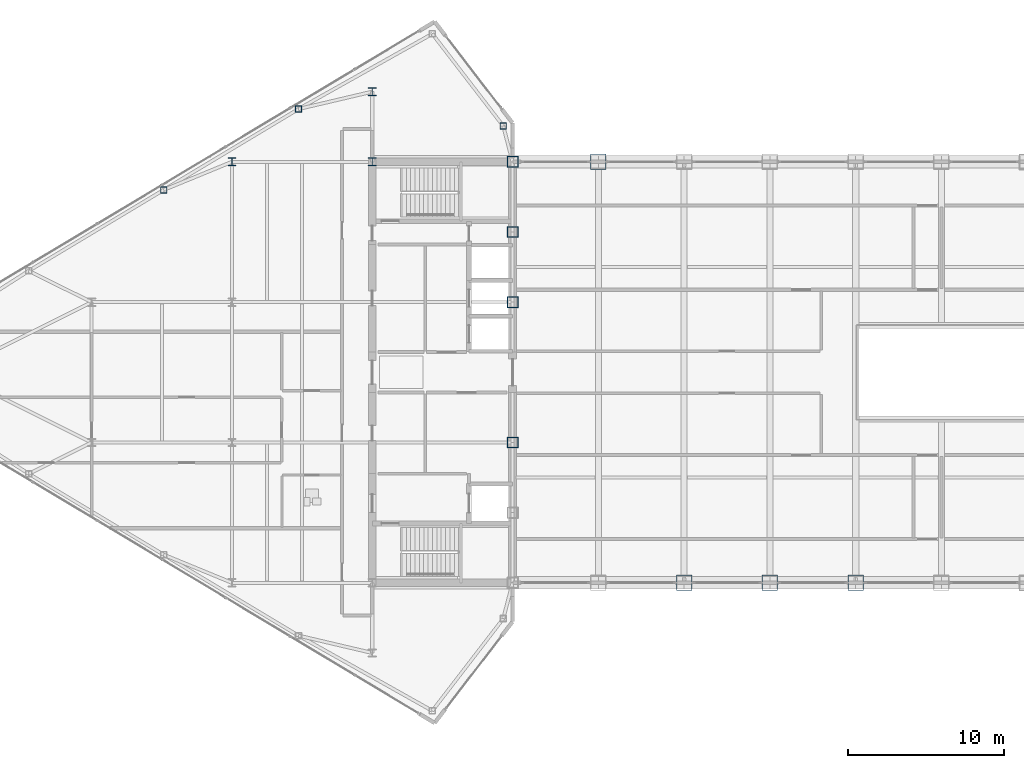
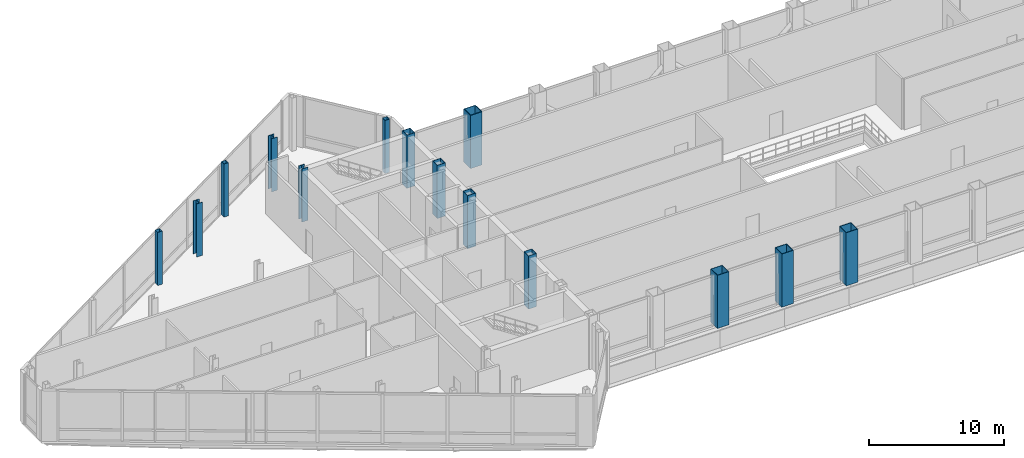
# One storey, part 2 of 30: 14 columns.
"""IFC4 building model written with IfcOpenShell, lengths in metres."""

import ifcopenshell
import ifcopenshell.guid

model = None  # the IFC model being written
_history = None  # IfcOwnerHistory: only IFC2X3 demands one
_inside = {}  # id of a spatial element -> (the spatial element, [elements in it])
_under = {}  # id of a project, library or spatial element -> (it, [spatial elements below it])
_declared = {}  # id of a project -> (the project, [libraries it declares])
_typed = {}  # id of a type object -> (the type object, [elements of that type])
_made_of = {}  # id of a material, layer set ... -> (it, [elements and type objects made of it])


def new_model(schema):
    """Start an empty IFC model of exactly this schema.

    Asked for "IFC4X3", IfcOpenShell would pick the latest addendum, in which some entities
    have other attributes; the version numbers below select the first issue.
    IFC2X3 requires an IfcOwnerHistory on every rooted entity: one is made here for all.
    """
    global model, _history
    if schema == "IFC4X3":
        model = ifcopenshell.file(schema_version=(4, 3, 0, 0))
    else:
        model = ifcopenshell.file(schema=schema)
    _inside.clear()
    _under.clear()
    _declared.clear()
    _typed.clear()
    _made_of.clear()
    _history = None
    if model.schema == "IFC2X3":
        org = make("IfcOrganization", Name="unknown")
        user = make(
            "IfcPersonAndOrganization",
            ThePerson=make("IfcPerson", FamilyName="unknown"),
            TheOrganization=org,
        )
        app = make(
            "IfcApplication",
            ApplicationDeveloper=org,
            Version="unknown",
            ApplicationFullName="unknown",
            ApplicationIdentifier="unknown",
        )
        _history = make(
            "IfcOwnerHistory",
            OwningUser=user,
            OwningApplication=app,
            ChangeAction="ADDED",
            CreationDate=0,
        )
    return model


def make(cls, **values):
    """One entity of the class cls with the attributes given. An attribute that is None is left unset."""
    return model.create_entity(
        cls, **{name: value for name, value in values.items() if value is not None}
    )


def rooted(cls, **values):
    """An entity with a GlobalId (a new one), such as an element, a storey or a relation."""
    return make(cls, GlobalId=ifcopenshell.guid.new(), OwnerHistory=_history, **values)


def si_unit(unit_type, name, prefix=None):
    """IfcSIUnit, for example si_unit("LENGTHUNIT", "METRE", prefix="MILLI")."""
    return make("IfcSIUnit", UnitType=unit_type, Prefix=prefix, Name=name)


def assignment(units):
    """IfcUnitAssignment: the units of a project."""
    return None if units is None else make("IfcUnitAssignment", Units=units)


def point(xyz):
    """IfcCartesianPoint."""
    return None if xyz is None else make("IfcCartesianPoint", Coordinates=xyz)


def direction(xyz):
    """IfcDirection."""
    return None if xyz is None else make("IfcDirection", DirectionRatios=xyz)


def frame(location, z_axis=None, x_axis=None):
    """IfcAxis2Placement3D, a coordinate frame: its origin and axes. An axis left out is left unset."""
    return make(
        "IfcAxis2Placement3D",
        Location=point(location),
        Axis=direction(z_axis),
        RefDirection=direction(x_axis),
    )


def frame_2d(location, x_axis=None):
    """IfcAxis2Placement2D, a coordinate frame in the plane: its origin and x axis."""
    return make(
        "IfcAxis2Placement2D", Location=point(location), RefDirection=direction(x_axis)
    )


def origin():
    """The frame at (0, 0, 0) with its axes left unset."""
    return frame((0.0, 0.0, 0.0))


def origin_2d():
    """The frame at (0, 0) in the plane with its x axis left unset."""
    return frame_2d((0.0, 0.0))


def place(relative_to, where):
    """IfcLocalPlacement: puts the frame where relative to a parent placement (None: the world)."""
    return make(
        "IfcLocalPlacement", PlacementRelTo=relative_to, RelativePlacement=where
    )


def context(
    kind, dimensions, precision=None, world=None, true_north=None, identifier=None
):
    """IfcGeometricRepresentationContext, for example the 3D "Model" context."""
    return make(
        "IfcGeometricRepresentationContext",
        ContextIdentifier=identifier,
        ContextType=kind,
        CoordinateSpaceDimension=dimensions,
        Precision=precision,
        WorldCoordinateSystem=world,
        TrueNorth=true_north,
    )


def subcontext(parent, identifier, kind, view, scale=None):
    """IfcGeometricRepresentationSubContext, for example "Body" below "Model"."""
    return make(
        "IfcGeometricRepresentationSubContext",
        ContextIdentifier=identifier,
        ContextType=kind,
        ParentContext=parent,
        TargetScale=scale,
        TargetView=view,
    )


def project(units=None, contexts=None):
    """IfcProject with its units and contexts."""
    return rooted(
        "IfcProject",
        Name="project",
        RepresentationContexts=contexts,
        UnitsInContext=assignment(units),
    )


def spatial(cls, under=None, at=None, **own):
    """A site, building, storey or space (cls), placed at a placement, below another one or the project."""
    s = rooted(cls, ObjectPlacement=at, **own)
    if under is not None:
        _under.setdefault(under.id(), (under, []))[1].append(s)
    return s


def profile(cls, at=None, kind="AREA", **sizes):
    """A parametric profile (cls). Its sizes go by their IFC names, for example OverallWidth=200.0."""
    return make(cls, ProfileType=kind, Position=at, **sizes)


def hollow_rectangle(**sizes):
    """IfcRectangleHollowProfileDef."""
    return profile("IfcRectangleHollowProfileDef", **sizes)


def i_section(**sizes):
    """IfcIShapeProfileDef."""
    return profile("IfcIShapeProfileDef", **sizes)


def extrude(swept, where, along, depth):
    """IfcExtrudedAreaSolid: the profile swept, set in the frame where, extruded along a direction by depth."""
    return make(
        "IfcExtrudedAreaSolid",
        SweptArea=swept,
        Position=where,
        ExtrudedDirection=direction(along),
        Depth=depth,
    )


def shape(context_of_items, identifier, shape_type, items):
    """IfcShapeRepresentation: the items that make up one representation, for example the "Body"."""
    return make(
        "IfcShapeRepresentation",
        ContextOfItems=context_of_items,
        RepresentationIdentifier=identifier,
        RepresentationType=shape_type,
        Items=items,
    )


def source(mapping_origin, context_of_items, identifier, shape_type, items):
    """IfcRepresentationMap: a shape defined once, which mapped items show again and again."""
    return make(
        "IfcRepresentationMap",
        MappingOrigin=mapping_origin,
        MappedRepresentation=shape(context_of_items, identifier, shape_type, items),
    )


def transform(
    local_origin,
    x_axis=None,
    y_axis=None,
    z_axis=None,
    scale=None,
    scale2=None,
    scale3=None,
    uniform=True,
):
    """IfcCartesianTransformationOperator3D, or its non-uniform kind. x_axis, y_axis, z_axis: its Axis1, 2, 3."""
    if uniform:
        return make(
            "IfcCartesianTransformationOperator3D",
            Axis1=direction(x_axis),
            Axis2=direction(y_axis),
            LocalOrigin=point(local_origin),
            Scale=scale,
            Axis3=direction(z_axis),
        )
    return make(
        "IfcCartesianTransformationOperator3DnonUniform",
        Axis1=direction(x_axis),
        Axis2=direction(y_axis),
        LocalOrigin=point(local_origin),
        Scale=scale,
        Axis3=direction(z_axis),
        Scale2=scale2,
        Scale3=scale3,
    )


def mapped(mapping_source, mapping_target):
    """IfcMappedItem: shows the shape of a source again, moved by a transform."""
    return make(
        "IfcMappedItem", MappingSource=mapping_source, MappingTarget=mapping_target
    )


def material(Name=None, Category=None):
    """IfcMaterial."""
    return make("IfcMaterial", Name=Name, Category=Category)


def material_profile(
    of_material, cross_section, Name=None, Category=None, Priority=None
):
    """IfcMaterialProfile: a cross section and its material."""
    return make(
        "IfcMaterialProfile",
        Name=Name,
        Material=of_material,
        Profile=cross_section,
        Priority=Priority,
        Category=Category,
    )


def profile_set(profiles, Name=None, composite=None):
    """IfcMaterialProfileSet."""
    return make(
        "IfcMaterialProfileSet",
        Name=Name,
        MaterialProfiles=profiles,
        CompositeProfile=composite,
    )


def made_of(thing, what):
    """Note that an element or type object is made of a material, layer set ...; save() writes the relation."""
    if what is not None:
        _made_of.setdefault(what.id(), (what, []))[1].append(thing)
    return thing


def type_object(cls, material=None, **own):
    """A type object (cls), such as IfcWallType, which elements share."""
    return made_of(rooted(cls, **own), material)


def type_shapes(of_type, sources):
    """Give a type object the sources (RepresentationMaps) that its elements show as mapped items."""
    of_type.RepresentationMaps = sources


def element(
    cls,
    number,
    at=None,
    inside=None,
    cuts=None,
    type_object=None,
    material=None,
    context=None,
    identifier="Body",
    shape_type=None,
    held_by="IfcProductDefinitionShape",
    body=None,
    shapes=None,
    **own,
):
    """One element of the class cls, such as IfcWall. Its Tag is "e" and its number.

    at: its placement. inside: the storey or other place that contains it. cuts: it is an
    opening in that element (IfcRelVoidsElement). A single representation is given by context,
    identifier, shape_type and body (its items); several are given by shapes. held_by: the class
    of the entity that holds the representations. save() writes the other relations.
    """
    e = rooted(cls, Tag="e%d" % number, ObjectPlacement=at, **own)
    if body is not None:
        shapes = [shape(context, identifier, shape_type, body)]
    if shapes is not None:
        e.Representation = make(held_by, Representations=shapes)
    if inside is not None:
        _inside.setdefault(inside.id(), (inside, []))[1].append(e)
    if cuts is not None:
        rooted(
            "IfcRelVoidsElement", RelatingBuildingElement=cuts, RelatedOpeningElement=e
        )
    if type_object is not None:
        _typed.setdefault(type_object.id(), (type_object, []))[1].append(e)
    return made_of(e, material)


def aggregate(whole, parts):
    """IfcRelAggregates: a whole, such as a stair, and the parts it consists of."""
    return rooted("IfcRelAggregates", RelatingObject=whole, RelatedObjects=parts)


def save(model, path):
    """Write the relations noted so far, then the file.

    IfcRelAggregates (storeys below a building ...), IfcRelContainedInSpatialStructure (elements
    in a storey), IfcRelDefinesByType, IfcRelAssociatesMaterial and IfcRelDeclares: one each for
    every whole, place, type object, material and project.
    """
    for whole, parts in _under.values():
        aggregate(whole, parts)
    for where, things in _inside.values():
        rooted(
            "IfcRelContainedInSpatialStructure",
            RelatedElements=things,
            RelatingStructure=where,
        )
    for kind, things in _typed.values():
        rooted("IfcRelDefinesByType", RelatedObjects=things, RelatingType=kind)
    for what, things in _made_of.values():
        rooted("IfcRelAssociatesMaterial", RelatedObjects=things, RelatingMaterial=what)
    for by, libraries in _declared.values():
        rooted("IfcRelDeclares", RelatingContext=by, RelatedDefinitions=libraries)
    model.write(path)


model = new_model("IFC4")

# Units and contexts
model_context = context("Model", 3, precision=1e-05, world=origin(), true_north=direction((0.0, 1.0)))
body_context = subcontext(model_context, "Body", "Model", "MODEL_VIEW")
ifc_project = project(units=[si_unit("LENGTHUNIT", "METRE"), si_unit("AREAUNIT", "SQUARE_METRE"), si_unit("VOLUMEUNIT", "CUBIC_METRE"), si_unit("PLANEANGLEUNIT", "RADIAN"), si_unit("MASSUNIT", "GRAM", prefix="KILO")], contexts=[model_context])

# Site, building, storey
site_placement = place(None, origin())
site = spatial("IfcSite", under=ifc_project, at=site_placement, CompositionType="ELEMENT")
building_placement = place(site_placement, origin())
building = spatial("IfcBuilding", under=site, at=building_placement, Name="Seokmaru Belvedere", CompositionType="ELEMENT")
storey_placement = place(building_placement, frame((0.0, 0.0, 234.60009765625)))
storey = spatial("IfcBuildingStorey", under=building, at=storey_placement, Name="L62", CompositionType="ELEMENT", Elevation=234.60009765625)

# Columns
ifc_material_1 = material(Name="Steel HSA650 (650 MPa)", Category="steel")
ifc_material_profile_1 = material_profile(ifc_material_1, hollow_rectangle(XDim=1.0, YDim=1.0, WallThickness=0.0419921875, at=origin_2d()), Name="BOX-1000x1000x42")
ifc_profile_set_1 = profile_set([ifc_material_profile_1], Name="Steel HSA650 (650 MPa)")
column_type_1 = type_object("IfcColumnType", Name="Portal Spine Column BOX-1000", PredefinedType="COLUMN", material=ifc_profile_set_1)
shared_shape_1 = source(origin(), body_context, "Body", "SweptSolid", [
    extrude(hollow_rectangle(XDim=1.0, YDim=1.0, WallThickness=0.0419921875, at=origin_2d()), origin(), (0.0, 0.0, 1.0), 4.7998046875),
])
type_shapes(column_type_1, [shared_shape_1])
for number, where, z_axis, x_axis, name in (
    (1, (-22.0, 13.5, 0.0), (0.0, 0.0, 1.0), (1.0, 0.0, 0.0), "L62 Column BRN_1"),
    (2, (-16.5, -13.5, 0.0), (0.0, 0.0, 1.0), (1.0, 0.0, 0.0), "L62 Column BRS_2"),
    (3, (-11.0, -13.5, 0.0), (0.0, 0.0, 1.0), (1.0, 0.0, 0.0), "L62 Column BRS_3"),
    (4, (-5.5, -13.5, 0.0), (0.0, 0.0, 1.0), (1.0, 0.0, 0.0), "L62 Column BRS_4"),
):
    element("IfcColumn", number, at=place(storey_placement, frame(where, z_axis=z_axis, x_axis=x_axis)), inside=storey, type_object=column_type_1, Name=name, PredefinedType="COLUMN", context=body_context, shape_type="MappedRepresentation", body=[
        mapped(shared_shape_1, transform((0.0, 0.0, 0.0), scale=1.0)),
    ])
ifc_material_2 = material(Name="Steel SM355 (355 MPa)", Category="steel")
ifc_material_profile_2 = material_profile(ifc_material_2, hollow_rectangle(XDim=0.699951171875, YDim=0.699951171875, WallThickness=0.030029296875, at=origin_2d()), Name="BOX-700x700x30")
ifc_profile_set_2 = profile_set([ifc_material_profile_2], Name="Steel SM355 (355 MPa)")
column_type_2 = type_object("IfcColumnType", Name="Upper Spine Column BOX-700", PredefinedType="COLUMN", material=ifc_profile_set_2)
shared_shape_2 = source(origin(), body_context, "Body", "SweptSolid", [
    extrude(hollow_rectangle(XDim=0.699951171875, YDim=0.699951171875, WallThickness=0.030029296875, at=origin_2d()), origin(), (0.0, 0.0, 1.0), 4.7998046875),
])
type_shapes(column_type_2, [shared_shape_2])
for number, where, z_axis, x_axis, name in (
    (5, (-27.5, -4.5, 0.0), (0.0, 0.0, 1.0), (1.0, 0.0, 0.0), "L62 Column WS3"),
    (6, (-27.5, 4.5, 0.0), (0.0, 0.0, 1.0), (1.0, 0.0, 0.0), "L62 Column WS4"),
    (7, (-27.5, 9.0, 0.0), (0.0, 0.0, 1.0), (1.0, 0.0, 0.0), "L62 Column WS5"),
    (8, (-27.5, 13.5, 0.0), (0.0, 0.0, 1.0), (1.0, 0.0, 0.0), "L62 Column WS6"),
):
    element("IfcColumn", number, at=place(storey_placement, frame(where, z_axis=z_axis, x_axis=x_axis)), inside=storey, type_object=column_type_2, Name=name, PredefinedType="COLUMN", context=body_context, shape_type="MappedRepresentation", body=[
        mapped(shared_shape_2, transform((0.0, 0.0, 0.0), scale=1.0)),
    ])
ifc_material_profile_3 = material_profile(ifc_material_2, i_section(OverallWidth=0.5, OverallDepth=0.5, WebThickness=0.02001953125, FlangeThickness=0.031982421875, at=origin_2d()), Name="H-500x500x20x32")
ifc_profile_set_3 = profile_set([ifc_material_profile_3], Name="Steel SM355 (355 MPa)")
column_type_3 = type_object("IfcColumnType", Name="High-Rise Interior Column H-500", PredefinedType="COLUMN", material=ifc_profile_set_3)
shared_shape_3 = source(origin(), body_context, "Body", "SweptSolid", [
    extrude(i_section(OverallWidth=0.5, OverallDepth=0.5, WebThickness=0.02001953125, FlangeThickness=0.031982421875, at=origin_2d()), origin(), (0.0, 0.0, 1.0), 4.7998046875),
])
type_shapes(column_type_3, [shared_shape_3])
for number, where, z_axis, x_axis, name in (
    (9, (-36.5, 13.5, 0.0), (0.0, 0.0, 1.0), (1.0, 0.0, 0.0), "L62 Column WC3"),
    (10, (-36.5, 18.0, 0.0), (0.0, 0.0, 1.0), (1.0, 0.0, 0.0), "L62 Column WC4"),
    (11, (-45.5, 13.5, 0.0), (0.0, 0.0, 1.0), (1.0, 0.0, 0.0), "L62 Column WG5_4"),
):
    element("IfcColumn", number, at=place(storey_placement, frame(where, z_axis=z_axis, x_axis=x_axis)), inside=storey, type_object=column_type_3, Name=name, PredefinedType="COLUMN", context=body_context, shape_type="MappedRepresentation", body=[
        mapped(shared_shape_3, transform((0.0, 0.0, 0.0), scale=1.0)),
    ])
ifc_material_profile_4 = material_profile(ifc_material_2, hollow_rectangle(XDim=0.39990234375, YDim=0.39990234375, WallThickness=0.01611328125, at=origin_2d()), Name="HSS-400x400x16")
ifc_profile_set_4 = profile_set([ifc_material_profile_4], Name="Steel SM355 (355 MPa)")
column_type_4 = type_object("IfcColumnType", Name="Perimeter Facet Column HSS-400", PredefinedType="COLUMN", material=ifc_profile_set_4)
shared_shape_4 = source(origin(), body_context, "Body", "SweptSolid", [
    extrude(hollow_rectangle(XDim=0.39990234375, YDim=0.39990234375, WallThickness=0.01611328125, at=origin_2d()), origin(), (0.0, 0.0, 1.0), 4.7998046875),
])
type_shapes(column_type_4, [shared_shape_4])
for number, where, z_axis, x_axis, name in (
    (12, (-28.10009765625, 15.7958984375, 0.0), (0.0, 0.0, 1.0), (1.0, 0.0, 0.0), "L62 Column WF2"),
    (13, (-41.229736328125, 16.888916015625, 0.0), (0.0, 0.0, 1.0), (1.0, 0.0, 0.0), "L62 Column WFLK_N1"),
    (14, (-49.8798828125, 11.698974609375, 0.0), (0.0, 0.0, 1.0), (1.0, 0.0, 0.0), "L62 Column WFLK_N2"),
):
    element("IfcColumn", number, at=place(storey_placement, frame(where, z_axis=z_axis, x_axis=x_axis)), inside=storey, type_object=column_type_4, Name=name, PredefinedType="COLUMN", context=body_context, shape_type="MappedRepresentation", body=[
        mapped(shared_shape_4, transform((0.0, 0.0, 0.0), scale=1.0)),
    ])

save(model, "model.ifc")
